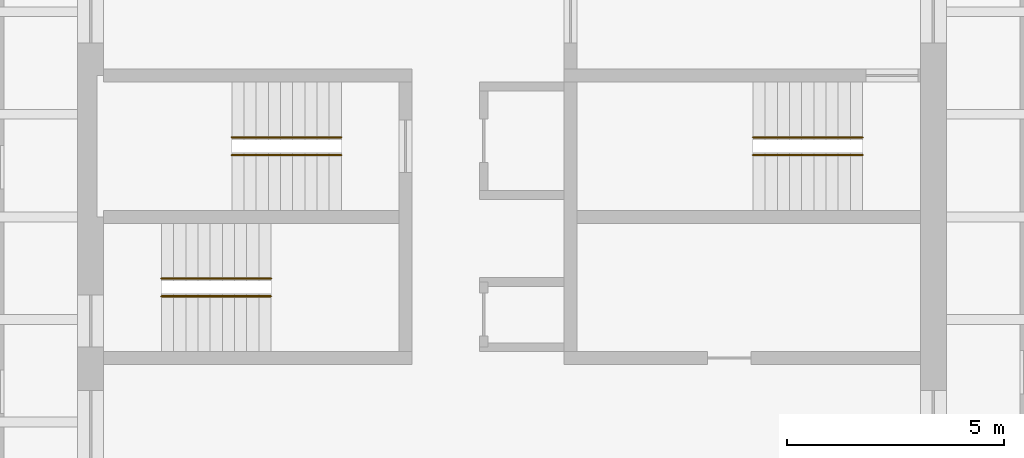
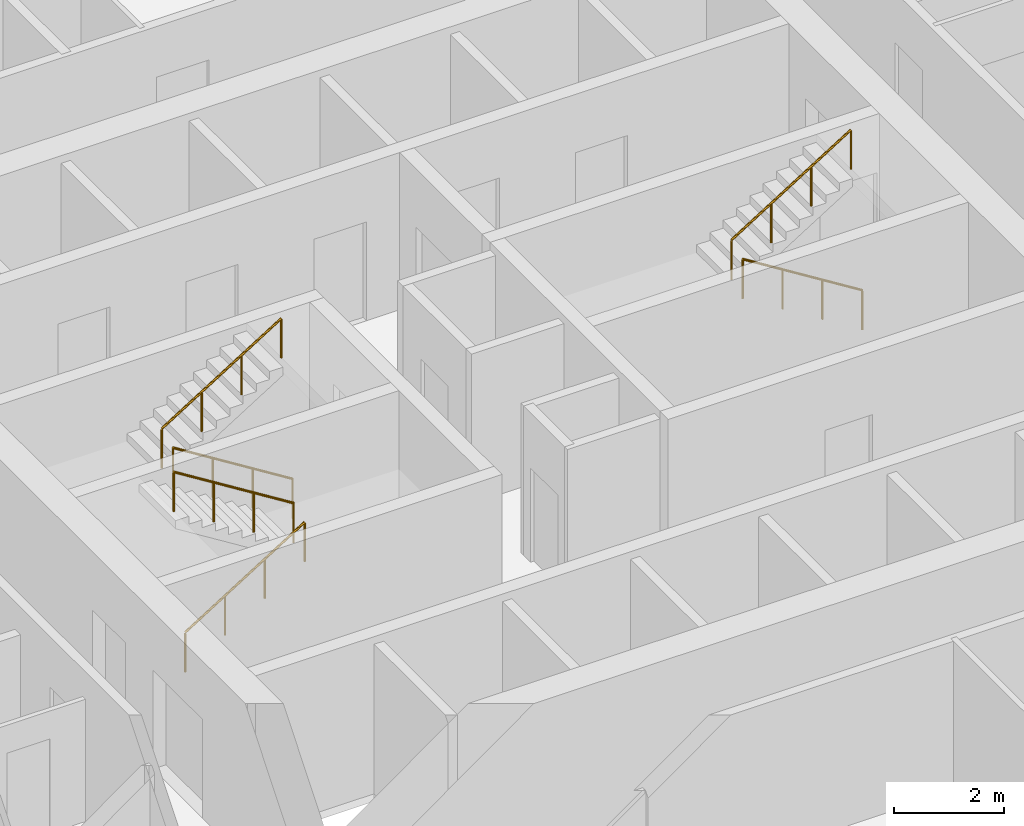
# One storey, part 10 of 10: 6 railings.
"""IFC4 building model written with IfcOpenShell, lengths in metres."""

from ifc_helpers import new_model, si_unit, direction, frame, origin, origin_2d, place, context, subcontext, project, spatial, circle, extrude, material, type_object, element, save


model = new_model("IFC4")

# Units and contexts
model_context = context("Model", 3, precision=1e-05, world=origin(), true_north=direction((0.0, 1.0)))
body_context = subcontext(model_context, "Body", "Model", "MODEL_VIEW")
ifc_project = project(units=[si_unit("LENGTHUNIT", "METRE"), si_unit("AREAUNIT", "SQUARE_METRE"), si_unit("VOLUMEUNIT", "CUBIC_METRE"), si_unit("PLANEANGLEUNIT", "RADIAN"), si_unit("MASSUNIT", "GRAM", prefix="KILO")], contexts=[model_context])

# Site, building, storey
site_placement = place(None, origin())
site = spatial("IfcSite", under=ifc_project, at=site_placement, CompositionType="ELEMENT")
building_placement = place(site_placement, origin())
building = spatial("IfcBuilding", under=site, at=building_placement, Name="Turquesa Mirador Hotel Tower", CompositionType="ELEMENT")
storey_placement = place(building_placement, frame((0.0, 0.0, 39.0)))
storey = spatial("IfcBuildingStorey", under=building, at=storey_placement, Name="L09", CompositionType="ELEMENT", Elevation=39.0)

# Railings
ifc_material = material(Name="Painted steel handrail", Category="steel")
railing_type = type_object("IfcRailingType", Name="HANDRAIL 900 STEEL", PredefinedType="HANDRAIL", material=ifc_material)
railing_1_placement = place(storey_placement, frame((51.070068359375, 46.419921875, 0.175048828125)))
element("IfcRailing", 1, at=railing_1_placement, inside=storey, type_object=railing_type, Name="Handrail ST1", PredefinedType="HANDRAIL", context=body_context, shape_type="SweptSolid", body=[
    extrude(circle(Radius=0.02392578125, at=origin_2d()), frame((0.0, 0.0, 0.8759765625), z_axis=(-0.848007534815, 0.0, 0.529984170421), x_axis=(0.0, -1.0, 0.0)), (0.0, 0.0, 1.0), 2.9716796875),
    extrude(circle(Radius=0.02099609375, at=origin_2d()), origin(), (0.0, 0.0, 1.0), 0.851806640625),
    extrude(circle(Radius=0.02099609375, at=origin_2d()), frame((-0.840087890625, 0.0, 0.52490234375)), (0.0, 0.0, 1.0), 0.851806640625),
    extrude(circle(Radius=0.02099609375, at=origin_2d()), frame((-1.679931640625, 0.0, 1.050048828125)), (0.0, 0.0, 1.0), 0.851806640625),
    extrude(circle(Radius=0.02099609375, at=origin_2d()), frame((-2.52001953125, 0.0, 1.574951171875)), (0.0, 0.0, 1.0), 0.851806640625),
])
for number, where, name in (
    (2, (48.550048828125, 46.830078125, 1.925048828125), "Handrail ST1"),
    (3, (46.929931640625, 43.169921875, 0.175048828125), "Handrail ST2"),
):
    element("IfcRailing", number, at=place(storey_placement, frame(where)), inside=storey, type_object=railing_type, Name=name, PredefinedType="HANDRAIL", context=body_context, shape_type="SweptSolid", body=[
        extrude(circle(Radius=0.02392578125, at=origin_2d()), frame((0.0, 0.0, 0.8759765625), z_axis=(0.848007534815, 0.0, 0.529984170421), x_axis=(0.0, 1.0, 0.0)), (0.0, 0.0, 1.0), 2.9716796875),
        extrude(circle(Radius=0.02099609375, at=origin_2d()), origin(), (0.0, 0.0, 1.0), 0.851806640625),
        extrude(circle(Radius=0.02099609375, at=origin_2d()), frame((0.840087890625, 0.0, 0.52490234375)), (0.0, 0.0, 1.0), 0.851806640625),
        extrude(circle(Radius=0.02099609375, at=origin_2d()), frame((1.679931640625, 0.0, 1.050048828125)), (0.0, 0.0, 1.0), 0.851806640625),
        extrude(circle(Radius=0.02099609375, at=origin_2d()), frame((2.52001953125, 0.0, 1.574951171875)), (0.0, 0.0, 1.0), 0.851806640625),
    ])
for number, where, name in (
    (4, (49.449951171875, 43.580078125, 1.925048828125), "Handrail ST2"),
    (5, (63.070068359375, 46.419921875, 0.175048828125), "Handrail ST3"),
):
    element("IfcRailing", number, at=place(storey_placement, frame(where)), inside=storey, type_object=railing_type, Name=name, PredefinedType="HANDRAIL", context=body_context, shape_type="SweptSolid", body=[
        extrude(circle(Radius=0.02392578125, at=origin_2d()), frame((0.0, 0.0, 0.8759765625), z_axis=(-0.848007534815, 0.0, 0.529984170421), x_axis=(0.0, -1.0, 0.0)), (0.0, 0.0, 1.0), 2.9716796875),
        extrude(circle(Radius=0.02099609375, at=origin_2d()), origin(), (0.0, 0.0, 1.0), 0.851806640625),
        extrude(circle(Radius=0.02099609375, at=origin_2d()), frame((-0.840087890625, 0.0, 0.52490234375)), (0.0, 0.0, 1.0), 0.851806640625),
        extrude(circle(Radius=0.02099609375, at=origin_2d()), frame((-1.679931640625, 0.0, 1.050048828125)), (0.0, 0.0, 1.0), 0.851806640625),
        extrude(circle(Radius=0.02099609375, at=origin_2d()), frame((-2.52001953125, 0.0, 1.574951171875)), (0.0, 0.0, 1.0), 0.851806640625),
    ])
railing_2_placement = place(storey_placement, frame((60.550048828125, 46.830078125, 1.925048828125)))
element("IfcRailing", 6, at=railing_2_placement, inside=storey, type_object=railing_type, Name="Handrail ST3", PredefinedType="HANDRAIL", context=body_context, shape_type="SweptSolid", body=[
    extrude(circle(Radius=0.02392578125, at=origin_2d()), frame((0.0, 0.0, 0.8759765625), z_axis=(0.848007534815, 0.0, 0.529984170421), x_axis=(0.0, 1.0, 0.0)), (0.0, 0.0, 1.0), 2.9716796875),
    extrude(circle(Radius=0.02099609375, at=origin_2d()), origin(), (0.0, 0.0, 1.0), 0.851806640625),
    extrude(circle(Radius=0.02099609375, at=origin_2d()), frame((0.840087890625, 0.0, 0.52490234375)), (0.0, 0.0, 1.0), 0.851806640625),
    extrude(circle(Radius=0.02099609375, at=origin_2d()), frame((1.679931640625, 0.0, 1.050048828125)), (0.0, 0.0, 1.0), 0.851806640625),
    extrude(circle(Radius=0.02099609375, at=origin_2d()), frame((2.52001953125, 0.0, 1.574951171875)), (0.0, 0.0, 1.0), 0.851806640625),
])

save(model, "model.ifc")
